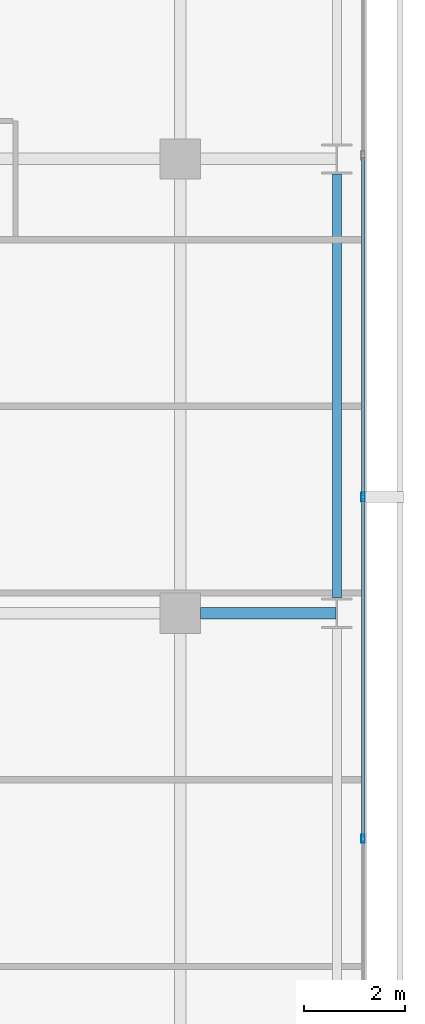
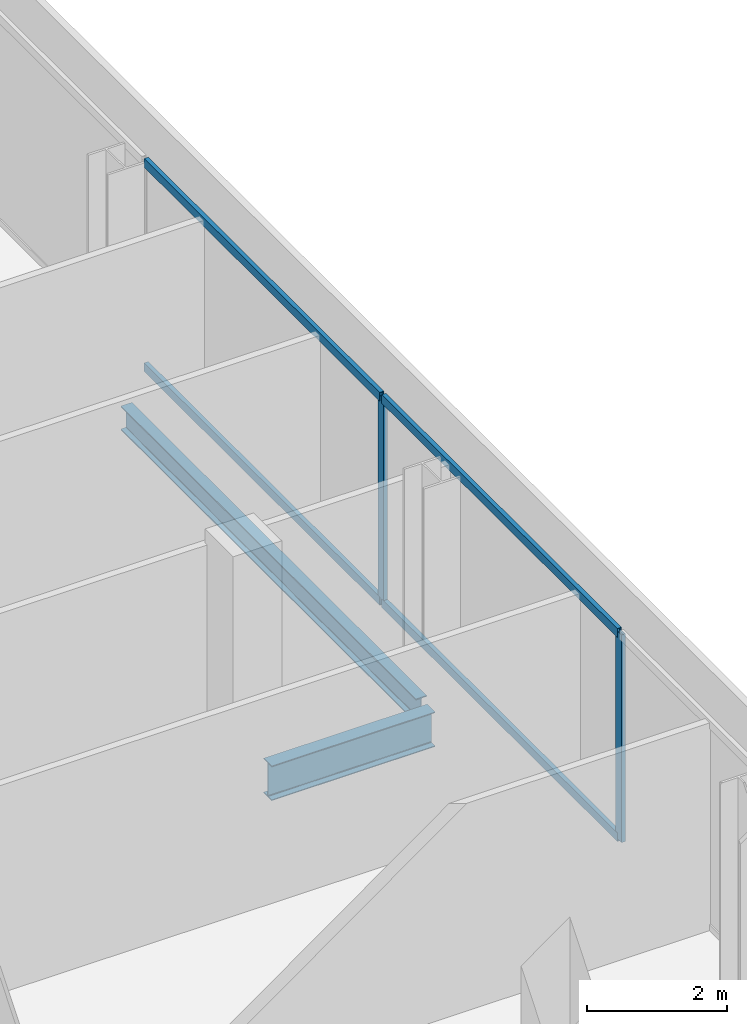
# One storey, part 17 of 34: 6 members, 2 beams, 1 element without a shape of its own.
"""IFC4 building model written with IfcOpenShell, lengths in metres."""

from ifc_helpers import new_model, si_unit, direction, frame, origin, origin_2d, place, context, subcontext, project, spatial, hollow_rectangle, i_section, extrude, material, layer, layer_set, material_profile, profile_set, type_object, element, aggregate, save


model = new_model("IFC4")

# Units and contexts
model_context = context("Model", 3, precision=1e-05, world=origin(), true_north=direction((0.0, 1.0)))
body_context = subcontext(model_context, "Body", "Model", "MODEL_VIEW")
ifc_project = project(units=[si_unit("LENGTHUNIT", "METRE"), si_unit("AREAUNIT", "SQUARE_METRE"), si_unit("VOLUMEUNIT", "CUBIC_METRE"), si_unit("PLANEANGLEUNIT", "RADIAN"), si_unit("MASSUNIT", "GRAM", prefix="KILO")], contexts=[model_context])

# Site, building, storey
site_placement = place(None, origin())
site = spatial("IfcSite", under=ifc_project, at=site_placement, CompositionType="ELEMENT")
building_placement = place(site_placement, origin())
building = spatial("IfcBuilding", under=site, at=building_placement, Name="Maruvema Waterfront Hotel and Observation Tower", CompositionType="ELEMENT")
storey_placement = place(building_placement, frame((0.0, 0.0, 189.0)))
storey = spatial("IfcBuildingStorey", under=building, at=storey_placement, Name="L46", CompositionType="ELEMENT", Elevation=189.0)

# Curtain wall, members
ifc_material_1 = material(Name="Anodised bronze aluminium and solar-control low-E IGU", Category="aluminium")
ifc_layer = layer(ifc_material_1, 0.159912109375, Name="Zone 2 Amber Inner Thermal Curtain Wall System CW-03")
ifc_layer_set = layer_set([ifc_layer], Name="Anodised bronze aluminium and solar-control low-E IGU")
curtain_wall_type = type_object("IfcCurtainWallType", Name="Zone 2 Amber Inner Thermal Curtain Wall System CW-03", PredefinedType="USERDEFINED", material=ifc_layer_set)
curtain_wall_placement = place(storey_placement, origin())
curtain_wall = element("IfcCurtainWall", 1, at=curtain_wall_placement, inside=storey, type_object=curtain_wall_type, Name="L46 Curtain Wall CW-L46-E", ObjectType="UNITISED CURTAIN WALL", PredefinedType="USERDEFINED")
ifc_material_2 = material(Name="Anodised architectural bronze aluminium", Category="aluminium")
ifc_material_profile_1 = material_profile(ifc_material_2, hollow_rectangle(XDim=0.070068359375, YDim=0.14990234375, WallThickness=0.00390625, at=origin_2d()), Name="ALU-T70x150")
ifc_profile_set_1 = profile_set([ifc_material_profile_1], Name="Anodised architectural bronze aluminium")
member_type_1 = type_object("IfcMemberType", Name="Curtain Wall Horizontal Transom ALU-T70x150", PredefinedType="USERDEFINED", material=ifc_profile_set_1)
member_1_placement = place(storey_placement, frame((62.419921875, 22.563232421875, 0.030029296875), z_axis=(0.0, 1.0, 0.0), x_axis=(-1.0, 0.0, 0.0)))
member_1 = element("IfcMember", 2, at=member_1_placement, type_object=member_type_1, Name="CW-03 transom 3.1", ObjectType="TRANSOM", PredefinedType="USERDEFINED", context=body_context, shape_type="SweptSolid", body=[
    extrude(hollow_rectangle(XDim=0.070068359375, YDim=0.14990234375, WallThickness=0.00390625, at=origin_2d()), origin(), (0.0, 0.0, 1.0), 6.706787109375),
])
member_2_placement = place(storey_placement, frame((62.419921875, 22.563232421875, 3.580078125), z_axis=(0.0, 1.0, 0.0), x_axis=(-1.0, 0.0, 0.0)))
member_2 = element("IfcMember", 3, at=member_2_placement, type_object=member_type_1, Name="CW-03 transom 3.2", ObjectType="TRANSOM", PredefinedType="USERDEFINED", context=body_context, shape_type="SweptSolid", body=[
    extrude(hollow_rectangle(XDim=0.070068359375, YDim=0.14990234375, WallThickness=0.00390625, at=origin_2d()), origin(), (0.0, 0.0, 1.0), 6.706787109375),
])
member_3_placement = place(storey_placement, frame((62.419921875, 29.330078125, 0.030029296875), z_axis=(0.0, 1.0, 0.0), x_axis=(-1.0, 0.0, 0.0)))
member_3 = element("IfcMember", 4, at=member_3_placement, type_object=member_type_1, Name="CW-03 transom 4.1", ObjectType="TRANSOM", PredefinedType="USERDEFINED", context=body_context, shape_type="SweptSolid", body=[
    extrude(hollow_rectangle(XDim=0.070068359375, YDim=0.14990234375, WallThickness=0.00390625, at=origin_2d()), origin(), (0.0, 0.0, 1.0), 6.70654296875),
])
member_4_placement = place(storey_placement, frame((62.419921875, 29.330078125, 3.580078125), z_axis=(0.0, 1.0, 0.0), x_axis=(-1.0, 0.0, 0.0)))
member_4 = element("IfcMember", 5, at=member_4_placement, type_object=member_type_1, Name="CW-03 transom 4.2", ObjectType="TRANSOM", PredefinedType="USERDEFINED", context=body_context, shape_type="SweptSolid", body=[
    extrude(hollow_rectangle(XDim=0.070068359375, YDim=0.14990234375, WallThickness=0.00390625, at=origin_2d()), origin(), (0.0, 0.0, 1.0), 6.70654296875),
])
ifc_material_3 = material(Name="Anodised architectural bronze aluminium", Category="aluminium")
ifc_material_profile_2 = material_profile(ifc_material_3, hollow_rectangle(XDim=0.06494140625, YDim=0.1650390625, WallThickness=0.00390625, at=origin_2d()), Name="ALU-M65x165")
ifc_profile_set_2 = profile_set([ifc_material_profile_2], Name="Anodised architectural bronze aluminium")
member_type_2 = type_object("IfcMemberType", Name="Curtain Wall Primary Mullion ALU-M65x165", PredefinedType="MULLION", material=ifc_profile_set_2)
member_5_placement = place(storey_placement, frame((62.419921875, 22.533447265625, 0.0), z_axis=(0.0, 0.0, 1.0), x_axis=(-1.0, 0.0, 0.0)))
member_5 = element("IfcMember", 6, at=member_5_placement, type_object=member_type_2, Name="CW-03 mullion 3", PredefinedType="MULLION", context=body_context, shape_type="SweptSolid", body=[
    extrude(hollow_rectangle(XDim=0.06494140625, YDim=0.1650390625, WallThickness=0.00390625, at=origin_2d()), origin(), (0.0, 0.0, 1.0), 3.610107421875),
])
member_6_placement = place(storey_placement, frame((62.419921875, 29.300048828125, 0.0), z_axis=(0.0, 0.0, 1.0), x_axis=(-1.0, 0.0, 0.0)))
member_6 = element("IfcMember", 7, at=member_6_placement, type_object=member_type_2, Name="CW-03 mullion 4", PredefinedType="MULLION", context=body_context, shape_type="SweptSolid", body=[
    extrude(hollow_rectangle(XDim=0.06494140625, YDim=0.1650390625, WallThickness=0.00390625, at=origin_2d()), origin(), (0.0, 0.0, 1.0), 3.610107421875),
])
aggregate(curtain_wall, [member_5, member_6, member_1, member_2, member_3, member_4])

# Beams
ifc_material_4 = material(Name="Steel ASTM A572 Grade 50", Category="steel")
ifc_material_profile_3 = material_profile(ifc_material_4, i_section(OverallWidth=0.180908203125, OverallDepth=0.4169921875, WebThickness=0.010986328125, FlangeThickness=0.018310546875, FilletRadius=0.014892578125, at=origin_2d()), Name="W410x85.0")
ifc_profile_set_3 = profile_set([ifc_material_profile_3], Name="Steel ASTM A572 Grade 50")
beam_type_1 = type_object("IfcBeamType", Name="Perimeter Spandrel Beam W410x85.0", PredefinedType="SPANDREL", material=ifc_profile_set_3)
beam_1_placement = place(storey_placement, frame((61.89990234375, 27.300048828125, -0.448486328125), z_axis=(0.0, 1.0, 0.0), x_axis=(-1.0, 0.0, 0.0)))
element("IfcBeam", 8, at=beam_1_placement, inside=storey, type_object=beam_type_1, Name="L46 Floor Girder NS-31", PredefinedType="SPANDREL", context=body_context, shape_type="SweptSolid", body=[
    extrude(i_section(OverallWidth=0.180908203125, OverallDepth=0.4169921875, WebThickness=0.010986328125, FlangeThickness=0.018310546875, FilletRadius=0.014892578125, at=origin_2d()), origin(), (0.0, 0.0, 1.0), 8.39990234375),
])
ifc_material_5 = material(Name="Steel ASTM A572 Grade 50", Category="steel")
ifc_material_profile_4 = material_profile(ifc_material_5, i_section(OverallWidth=0.22802734375, OverallDepth=0.60302734375, WebThickness=0.010498046875, FlangeThickness=0.014892578125, FilletRadius=0.01806640625, at=origin_2d()), Name="W610x101.0")
ifc_profile_set_4 = profile_set([ifc_material_profile_4], Name="Steel ASTM A572 Grade 50")
beam_type_2 = type_object("IfcBeamType", Name="Primary Floor Girder W610x101.0", PredefinedType="BEAM", material=ifc_profile_set_4)
beam_2_placement = place(storey_placement, frame((59.199951171875, 27.0, -0.54150390625), z_axis=(1.0, 0.0, 0.0), x_axis=(0.0, 1.0, 0.0)))
element("IfcBeam", 9, at=beam_2_placement, inside=storey, type_object=beam_type_2, Name="L46 Floor Girder EW-22", PredefinedType="BEAM", context=body_context, shape_type="SweptSolid", body=[
    extrude(i_section(OverallWidth=0.22802734375, OverallDepth=0.60302734375, WebThickness=0.010498046875, FlangeThickness=0.014892578125, FilletRadius=0.01806640625, at=origin_2d()), origin(), (0.0, 0.0, 1.0), 2.6875),
])

save(model, "model.ifc")
